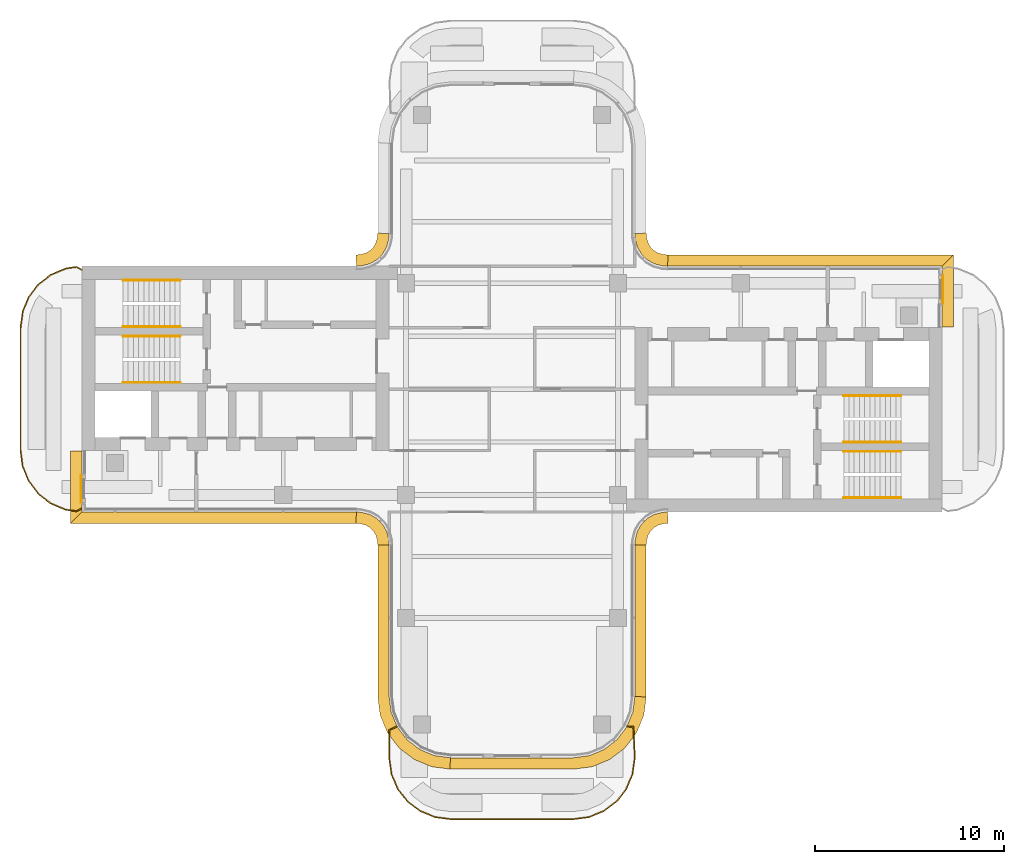
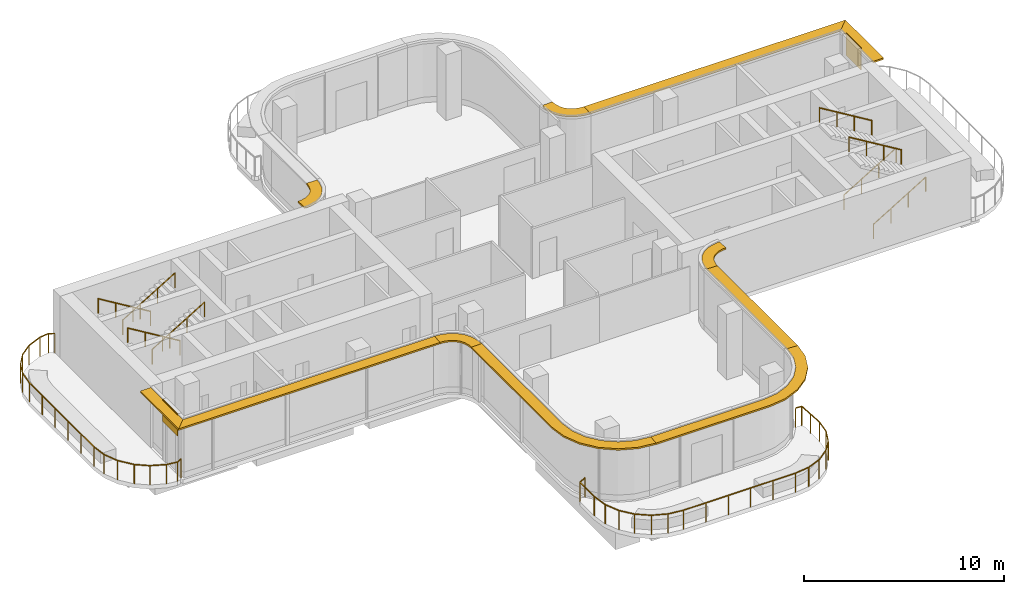
# One storey, part 17 of 18: 11 shading devices, 10 railings, 2 coverings.
"""IFC4 building model written with IfcOpenShell, lengths in metres."""

from ifc_helpers import new_model, si_unit, direction, frame, origin, origin_2d, place, context, subcontext, project, spatial, polyline, rectangle, circle, outline, extrude, source, transform, mapped, material, layer, layer_set, type_object, element, save


model = new_model("IFC4")

# Units and contexts
model_context = context("Model", 3, precision=1e-05, world=origin(), true_north=direction((0.0, 1.0)))
body_context = subcontext(model_context, "Body", "Model", "MODEL_VIEW")
ifc_project = project(units=[si_unit("LENGTHUNIT", "METRE"), si_unit("AREAUNIT", "SQUARE_METRE"), si_unit("VOLUMEUNIT", "CUBIC_METRE"), si_unit("PLANEANGLEUNIT", "RADIAN"), si_unit("MASSUNIT", "GRAM", prefix="KILO")], contexts=[model_context])

# Site, building, storey
site_placement = place(None, origin())
site = spatial("IfcSite", under=ifc_project, at=site_placement, CompositionType="ELEMENT")
building_placement = place(site_placement, origin())
building = spatial("IfcBuilding", under=site, at=building_placement, Name="Trellis Farm Tower", CompositionType="ELEMENT")
storey_placement = place(building_placement, frame((0.0, 0.0, 338.10009765625)))
storey = spatial("IfcBuildingStorey", under=building, at=storey_placement, Name="L76", CompositionType="ELEMENT", Elevation=338.10009765625)

# Railing
ifc_material_1 = material(Name="Stainless steel 316", Category="steel")
railing_type_1 = type_object("IfcRailingType", Name="BALUSTRADE GUARD 1200", PredefinedType="GUARDRAIL", material=ifc_material_1)
railing_1_placement = place(storey_placement, frame((-22.75, -6.30322265625, 0.0)))
element("IfcRailing", 1, at=railing_1_placement, inside=storey, type_object=railing_type_1, Name="GD2 TER-1", PredefinedType="GUARDRAIL", context=body_context, shape_type="SweptSolid", body=[
    extrude(rectangle(XDim=0.050048828125, YDim=0.050048828125, at=origin_2d()), frame((0.0, 0.0, 1.1748046875), z_axis=(-0.87073084028, -0.491759904614, 0.0), x_axis=(0.491759904614, -0.87073084028, 0.0)), (0.0, 0.0, 1.0), 0.32470703125),
    extrude(rectangle(XDim=0.050048828125, YDim=0.050048828125, at=origin_2d()), frame((-0.28271484375, -0.15966796875, 1.1748046875), z_axis=(-0.989459630572, 0.144808975784, 0.0), x_axis=(-0.144808975784, -0.989459630572, 0.0)), (0.0, 0.0, 1.0), 0.59521484375),
    extrude(rectangle(XDim=0.050048828125, YDim=0.050048828125, at=origin_2d()), frame((-0.87158203125, -0.073486328125, 1.1748046875), z_axis=(-0.919918153768, 0.392110431343, 0.0), x_axis=(-0.392110431343, -0.919918153768, 0.0)), (0.0, 0.0, 1.0), 0.847412109375),
    extrude(rectangle(XDim=0.050048828125, YDim=0.050048828125, at=origin_2d()), frame((-1.651123046875, 0.2587890625, 1.1748046875), z_axis=(-0.793400430463, 0.608700054987, 0.0), x_axis=(-0.608700054987, -0.793400430463, 0.0)), (0.0, 0.0, 1.0), 0.782470703125),
    extrude(rectangle(XDim=0.050048828125, YDim=0.050048828125, at=origin_2d()), frame((-2.27197265625, 0.735107421875, 1.1748046875), z_axis=(-0.608701247669, 0.793399515431, 0.0), x_axis=(-0.793399515431, -0.608701247669, 0.0)), (0.0, 0.0, 1.0), 0.912109375),
    extrude(rectangle(XDim=0.050048828125, YDim=0.050048828125, at=origin_2d()), frame((-2.8271484375, 1.458740234375, 1.1748046875), z_axis=(-0.373476532483, 0.927639628134, 0.0), x_axis=(-0.927639628134, -0.373476532483, 0.0)), (0.0, 0.0, 1.0), 0.84716796875),
    extrude(rectangle(XDim=0.050048828125, YDim=0.050048828125, at=origin_2d()), frame((-3.1435546875, 2.24462890625, 1.1748046875), z_axis=(-0.12797133763, 0.991777866634, 0.0), x_axis=(-0.991777866634, -0.12797133763, 0.0)), (0.0, 0.0, 1.0), 0.831787109375),
    extrude(rectangle(XDim=0.050048828125, YDim=0.050048828125, at=origin_2d()), frame((-3.25, 3.069580078125, 1.1748046875), z_axis=(0.0, 1.0, 0.0), x_axis=(-1.0, 0.0, 0.0)), (0.0, 0.0, 1.0), 6.46728515625),
    extrude(rectangle(XDim=0.050048828125, YDim=0.050048828125, at=origin_2d()), frame((-3.25, 9.536865234375, 1.1748046875), z_axis=(0.137531262137, 0.990497426516, 0.0), x_axis=(-0.990497426516, 0.137531262137, 0.0)), (0.0, 0.0, 1.0), 0.896484375),
    extrude(rectangle(XDim=0.050048828125, YDim=0.050048828125, at=origin_2d()), frame((-3.126708984375, 10.4248046875, 1.1748046875), z_axis=(0.38282021408, 0.923822863807, 0.0), x_axis=(-0.923822863807, 0.38282021408, 0.0)), (0.0, 0.0, 1.0), 0.782470703125),
    extrude(rectangle(XDim=0.050048828125, YDim=0.050048828125, at=origin_2d()), frame((-2.8271484375, 11.147705078125, 1.1748046875), z_axis=(0.600691219023, 0.799481118844, 0.0), x_axis=(-0.799481118844, 0.600691219023, 0.0)), (0.0, 0.0, 1.0), 0.847412109375),
    extrude(rectangle(XDim=0.050048828125, YDim=0.050048828125, at=origin_2d()), frame((-2.318115234375, 11.8251953125, 1.1748046875), z_axis=(0.78723737914, 0.616650070044, 0.0), x_axis=(-0.616650070044, 0.78723737914, 0.0)), (0.0, 0.0, 1.0), 0.84716796875),
    extrude(rectangle(XDim=0.050048828125, YDim=0.050048828125, at=origin_2d()), frame((-1.651123046875, 12.34765625, 1.1748046875), z_axis=(0.923827563852, 0.382808871721, 0.0), x_axis=(-0.382808871721, 0.923827563852, 0.0)), (0.0, 0.0, 1.0), 0.912109375),
    extrude(rectangle(XDim=0.050048828125, YDim=0.050048828125, at=origin_2d()), frame((-0.80859375, 12.69677734375, 1.1748046875), z_axis=(0.991419795585, 0.130716444729, 0.0), x_axis=(-0.130716444729, 0.991419795585, 0.0)), (0.0, 0.0, 1.0), 0.530517578125),
    extrude(rectangle(XDim=0.050048828125, YDim=0.050048828125, at=origin_2d()), frame((-0.28271484375, 12.76611328125, 1.1748046875), z_axis=(0.87073084028, -0.491759904614, 0.0), x_axis=(0.491759904614, 0.87073084028, 0.0)), (0.0, 0.0, 1.0), 0.32470703125),
    extrude(rectangle(XDim=0.0400390625, YDim=0.0400390625, at=origin_2d()), origin(), (0.0, 0.0, 1.0), 1.14990234375),
    extrude(rectangle(XDim=0.0400390625, YDim=0.0400390625, at=origin_2d()), frame((-0.28271484375, -0.15966796875, 0.0)), (0.0, 0.0, 1.0), 1.14990234375),
    extrude(rectangle(XDim=0.0400390625, YDim=0.0400390625, at=origin_2d()), frame((-0.87158203125, -0.073486328125, 0.0)), (0.0, 0.0, 1.0), 1.14990234375),
    extrude(rectangle(XDim=0.0400390625, YDim=0.0400390625, at=origin_2d()), frame((-1.651123046875, 0.2587890625, 0.0)), (0.0, 0.0, 1.0), 1.14990234375),
    extrude(rectangle(XDim=0.0400390625, YDim=0.0400390625, at=origin_2d()), frame((-2.27197265625, 0.735107421875, 0.0)), (0.0, 0.0, 1.0), 1.14990234375),
    extrude(rectangle(XDim=0.0400390625, YDim=0.0400390625, at=origin_2d()), frame((-2.8271484375, 1.458740234375, 0.0)), (0.0, 0.0, 1.0), 1.14990234375),
    extrude(rectangle(XDim=0.0400390625, YDim=0.0400390625, at=origin_2d()), frame((-3.1435546875, 2.24462890625, 0.0)), (0.0, 0.0, 1.0), 1.14990234375),
    extrude(rectangle(XDim=0.0400390625, YDim=0.0400390625, at=origin_2d()), frame((-3.25, 3.069580078125, 0.0)), (0.0, 0.0, 1.0), 1.14990234375),
    extrude(rectangle(XDim=0.0400390625, YDim=0.0400390625, at=origin_2d()), frame((-3.25, 4.363037109375, 0.0)), (0.0, 0.0, 1.0), 1.14990234375),
    extrude(rectangle(XDim=0.0400390625, YDim=0.0400390625, at=origin_2d()), frame((-3.25, 5.656494140625, 0.0)), (0.0, 0.0, 1.0), 1.14990234375),
    extrude(rectangle(XDim=0.0400390625, YDim=0.0400390625, at=origin_2d()), frame((-3.25, 6.949951171875, 0.0)), (0.0, 0.0, 1.0), 1.14990234375),
    extrude(rectangle(XDim=0.0400390625, YDim=0.0400390625, at=origin_2d()), frame((-3.25, 8.243408203125, 0.0)), (0.0, 0.0, 1.0), 1.14990234375),
    extrude(rectangle(XDim=0.0400390625, YDim=0.0400390625, at=origin_2d()), frame((-3.25, 9.536865234375, 0.0)), (0.0, 0.0, 1.0), 1.14990234375),
    extrude(rectangle(XDim=0.0400390625, YDim=0.0400390625, at=origin_2d()), frame((-3.126708984375, 10.4248046875, 0.0)), (0.0, 0.0, 1.0), 1.14990234375),
    extrude(rectangle(XDim=0.0400390625, YDim=0.0400390625, at=origin_2d()), frame((-2.8271484375, 11.147705078125, 0.0)), (0.0, 0.0, 1.0), 1.14990234375),
    extrude(rectangle(XDim=0.0400390625, YDim=0.0400390625, at=origin_2d()), frame((-2.318115234375, 11.8251953125, 0.0)), (0.0, 0.0, 1.0), 1.14990234375),
    extrude(rectangle(XDim=0.0400390625, YDim=0.0400390625, at=origin_2d()), frame((-1.651123046875, 12.34765625, 0.0)), (0.0, 0.0, 1.0), 1.14990234375),
    extrude(rectangle(XDim=0.0400390625, YDim=0.0400390625, at=origin_2d()), frame((-0.80859375, 12.69677734375, 0.0)), (0.0, 0.0, 1.0), 1.14990234375),
    extrude(rectangle(XDim=0.0400390625, YDim=0.0400390625, at=origin_2d()), frame((-0.28271484375, 12.76611328125, 0.0)), (0.0, 0.0, 1.0), 1.14990234375),
    extrude(rectangle(XDim=0.0400390625, YDim=0.0400390625, at=origin_2d()), frame((0.0, 12.6064453125, 0.0)), (0.0, 0.0, 1.0), 1.14990234375),
])

# Coverings
ifc_material_2 = material(Name="Sandstone", Category="masonry")
ifc_layer_1 = layer(ifc_material_2, 0.050048828125)
ifc_layer_set_1 = layer_set([ifc_layer_1], Name="STONE CLADDING PANEL")
covering_type = type_object("IfcCoveringType", Name="STONE CLADDING PANEL", PredefinedType="CLADDING", material=ifc_layer_set_1)
placement_1 = place(storey_placement, frame((0.0, 0.0, 2.39990234375)))
element("IfcCovering", 2, at=placement_1, inside=storey, type_object=covering_type, Name="CD1 02", PredefinedType="CLADDING", context=body_context, shape_type="SweptSolid", body=[
    extrude(outline(polyline([(22.800048828125, 4.52001953125), (22.800048828125, 6.02001953125), (22.75, 6.02001953125), (22.75, 4.52001953125), (22.800048828125, 4.52001953125)])), origin(), (0.0, 0.0, 1.0), 1.35009765625),
])
element("IfcCovering", 3, at=placement_1, inside=storey, type_object=covering_type, Name="CD1 04", PredefinedType="CLADDING", context=body_context, shape_type="SweptSolid", body=[
    extrude(outline(polyline([(-22.800048828125, -4.52001953125), (-22.800048828125, -6.02001953125), (-22.75, -6.02001953125), (-22.75, -4.52001953125), (-22.800048828125, -4.52001953125)])), origin(), (0.0, 0.0, 1.0), 1.35009765625),
])

# Railings
ifc_material_3 = material(Name="Stainless steel", Category="steel")
railing_type_2 = type_object("IfcRailingType", Name="STAIR HANDRAIL 900", PredefinedType="HANDRAIL", material=ifc_material_3)
shared_shape_1 = source(origin(), body_context, "Body", "SweptSolid", [
    extrude(circle(Radius=0.02392578125, at=origin_2d()), frame((0.0, 0.0, 0.8759765625), z_axis=(0.855170017971, 0.0, 0.518347605727), x_axis=(0.0, 1.0, 0.0)), (0.0, 0.0, 1.0), 3.537109375),
    extrude(circle(Radius=0.02099609375, at=origin_2d()), origin(), (0.0, 0.0, 1.0), 0.851806640625),
    extrude(circle(Radius=0.02099609375, at=origin_2d()), frame((1.00830078125, 0.0, 0.611083984375)), (0.0, 0.0, 1.0), 0.851806640625),
    extrude(circle(Radius=0.02099609375, at=origin_2d()), frame((2.0166015625, 0.0, 1.222412109375)), (0.0, 0.0, 1.0), 0.851806640625),
    extrude(circle(Radius=0.02099609375, at=origin_2d()), frame((3.02490234375, 0.0, 1.83349609375)), (0.0, 0.0, 1.0), 0.851806640625),
])
for number, where, name in (
    (4, (17.550048828125, -5.75, 0.16650390625), "Stair handrail"),
    (5, (17.550048828125, -2.800048828125, 0.16650390625), "Stair handrail"),
    (6, (-20.574951171875, 3.300048828125, 2.16650390625), "Stair handrail"),
    (7, (-20.574951171875, 0.35009765625, 2.16650390625), "Stair handrail"),
):
    element("IfcRailing", number, at=place(storey_placement, frame(where)), inside=storey, type_object=railing_type_2, Name=name, PredefinedType="HANDRAIL", context=body_context, shape_type="MappedRepresentation", body=[
        mapped(shared_shape_1, transform((0.0, 0.0, 0.0))),
    ])
shared_shape_2 = source(origin(), body_context, "Body", "SweptSolid", [
    extrude(circle(Radius=0.02392578125, at=origin_2d()), frame((0.0, 0.0, 0.8759765625), z_axis=(-0.855170017971, 0.0, 0.518347605727), x_axis=(0.0, -1.0, 0.0)), (0.0, 0.0, 1.0), 3.537109375),
    extrude(circle(Radius=0.02099609375, at=origin_2d()), origin(), (0.0, 0.0, 1.0), 0.851806640625),
    extrude(circle(Radius=0.02099609375, at=origin_2d()), frame((-1.00830078125, 0.0, 0.611083984375)), (0.0, 0.0, 1.0), 0.851806640625),
    extrude(circle(Radius=0.02099609375, at=origin_2d()), frame((-2.0166015625, 0.0, 1.222412109375)), (0.0, 0.0, 1.0), 0.851806640625),
    extrude(circle(Radius=0.02099609375, at=origin_2d()), frame((-3.02490234375, 0.0, 1.83349609375)), (0.0, 0.0, 1.0), 0.851806640625),
])
for number, where, name in (
    (8, (20.574951171875, -3.300048828125, 2.16650390625), "Stair handrail"),
    (9, (20.574951171875, -0.35009765625, 2.16650390625), "Stair handrail"),
    (10, (-17.550048828125, 5.75, 0.16650390625), "Stair handrail"),
    (11, (-17.550048828125, 2.800048828125, 0.16650390625), "Stair handrail"),
):
    element("IfcRailing", number, at=place(storey_placement, frame(where)), inside=storey, type_object=railing_type_2, Name=name, PredefinedType="HANDRAIL", context=body_context, shape_type="MappedRepresentation", body=[
        mapped(shared_shape_2, transform((0.0, 0.0, 0.0))),
    ])

# Shading devices
ifc_material_4 = material(Name="Aluminium extrusion 6063-T6", Category="aluminium")
ifc_layer_2 = layer(ifc_material_4, 0.10009765625)
ifc_layer_set_2 = layer_set([ifc_layer_2], Name="SUNSHADE BLADE 600")
shading_device_type = type_object("IfcShadingDeviceType", Name="SUNSHADE BLADE 600", PredefinedType="USERDEFINED", material=ifc_layer_set_2)
shared_shape_3 = source(origin(), body_context, "Body", "SweptSolid", [
    extrude(outline(polyline([(-7.10009765625, -8.2509765625), (-7.10009765625, -16.289306640625), (-6.973876953125, -17.247802734375), (-6.588623046875, -18.177490234375), (-5.97607421875, -18.97607421875), (-5.177490234375, -19.588623046875), (-4.247802734375, -19.973876953125), (-3.289306640625, -20.10009765625), (-3.25, -19.5), (-4.091064453125, -19.38916015625), (-4.875, -19.064697265625), (-5.548095703125, -18.548095703125), (-6.064697265625, -17.875), (-6.38916015625, -17.091064453125), (-6.5, -16.25), (-6.5, -8.2314453125), (-7.10009765625, -8.2509765625)])), origin(), (0.0, 0.0, 1.0), 0.10009765625),
])
placement_2 = place(storey_placement, frame((0.0, 0.0, 3.58984375)))
element("IfcShadingDevice", 12, at=placement_2, inside=storey, type_object=shading_device_type, Name="SD3 001", ObjectType="SUNSHADE", PredefinedType="USERDEFINED", context=body_context, shape_type="MappedRepresentation", body=[
    mapped(shared_shape_3, transform((0.0, 0.0, 0.0))),
])
shared_shape_4 = source(origin(), body_context, "Body", "SweptSolid", [
    extrude(outline(polyline([(-3.289306640625, -20.10009765625), (3.289306640625, -20.10009765625), (4.247802734375, -19.973876953125), (5.177490234375, -19.588623046875), (5.97607421875, -18.97607421875), (6.588623046875, -18.177490234375), (6.973876953125, -17.247802734375), (7.10009765625, -16.289306640625), (6.5, -16.25), (6.38916015625, -17.091064453125), (6.064697265625, -17.875), (5.548095703125, -18.548095703125), (4.875, -19.064697265625), (4.091064453125, -19.38916015625), (3.25, -19.5), (-3.25, -19.5), (-3.289306640625, -20.10009765625)])), origin(), (0.0, 0.0, 1.0), 0.10009765625),
])
element("IfcShadingDevice", 13, at=placement_2, inside=storey, type_object=shading_device_type, Name="SD3 002", ObjectType="SUNSHADE", PredefinedType="USERDEFINED", context=body_context, shape_type="MappedRepresentation", body=[
    mapped(shared_shape_4, transform((0.0, 0.0, 0.0))),
])
shared_shape_5 = source(origin(), body_context, "Body", "SweptSolid", [
    extrude(outline(polyline([(7.10009765625, -16.289306640625), (7.10009765625, -8.2509765625), (6.5, -8.2314453125), (6.5, -16.25), (7.10009765625, -16.289306640625)])), origin(), (0.0, 0.0, 1.0), 0.10009765625),
])
element("IfcShadingDevice", 14, at=placement_2, inside=storey, type_object=shading_device_type, Name="SD3 003", ObjectType="SUNSHADE", PredefinedType="USERDEFINED", context=body_context, shape_type="MappedRepresentation", body=[
    mapped(shared_shape_5, transform((0.0, 0.0, 0.0))),
])
shared_shape_6 = source(origin(), body_context, "Body", "SweptSolid", [
    extrude(outline(polyline([(7.10009765625, -8.2509765625), (7.111328125, -8.078369140625), (7.1171875, -8.032958984375), (7.19580078125, -7.739990234375), (7.3271484375, -7.5126953125), (7.5126953125, -7.3271484375), (7.739990234375, -7.19580078125), (8.032958984375, -7.1171875), (8.078369140625, -7.111328125), (8.2509765625, -7.10009765625), (8.2314453125, -6.5), (8.01953125, -6.513916015625), (7.91552734375, -6.527587890625), (7.508544921875, -6.63671875), (7.144287109375, -6.846923828125), (6.846923828125, -7.144287109375), (6.63671875, -7.508544921875), (6.527587890625, -7.91552734375), (6.513916015625, -8.01953125), (6.5, -8.2314453125), (7.10009765625, -8.2509765625)])), origin(), (0.0, 0.0, 1.0), 0.10009765625),
])
element("IfcShadingDevice", 15, at=placement_2, inside=storey, type_object=shading_device_type, Name="SD3 004", ObjectType="SUNSHADE", PredefinedType="USERDEFINED", context=body_context, shape_type="MappedRepresentation", body=[
    mapped(shared_shape_6, transform((0.0, 0.0, 0.0))),
])
shared_shape_7 = source(origin(), body_context, "Body", "SweptSolid", [
    extrude(outline(polyline([(23.35009765625, 3.280029296875), (23.35009765625, 7.10009765625), (22.75, 6.5), (22.75, 3.280029296875), (23.35009765625, 3.280029296875)])), origin(), (0.0, 0.0, 1.0), 0.10009765625),
])
element("IfcShadingDevice", 16, at=placement_2, inside=storey, type_object=shading_device_type, Name="SD3 005", ObjectType="SUNSHADE", PredefinedType="USERDEFINED", context=body_context, shape_type="MappedRepresentation", body=[
    mapped(shared_shape_7, transform((0.0, 0.0, 0.0))),
])
shared_shape_8 = source(origin(), body_context, "Body", "SweptSolid", [
    extrude(outline(polyline([(23.35009765625, 7.10009765625), (8.2509765625, 7.10009765625), (8.2314453125, 6.5), (22.75, 6.5), (23.35009765625, 7.10009765625)])), origin(), (0.0, 0.0, 1.0), 0.10009765625),
])
element("IfcShadingDevice", 17, at=placement_2, inside=storey, type_object=shading_device_type, Name="SD3 006", ObjectType="SUNSHADE", PredefinedType="USERDEFINED", context=body_context, shape_type="MappedRepresentation", body=[
    mapped(shared_shape_8, transform((0.0, 0.0, 0.0))),
])
shared_shape_9 = source(origin(), body_context, "Body", "SweptSolid", [
    extrude(outline(polyline([(8.2509765625, 7.10009765625), (8.078369140625, 7.111328125), (8.032958984375, 7.1171875), (7.739990234375, 7.19580078125), (7.5126953125, 7.3271484375), (7.3271484375, 7.5126953125), (7.19580078125, 7.739990234375), (7.1171875, 8.032958984375), (7.111328125, 8.078369140625), (7.10009765625, 8.2509765625), (6.5, 8.2314453125), (6.513916015625, 8.01953125), (6.527587890625, 7.91552734375), (6.63671875, 7.508544921875), (6.846923828125, 7.144287109375), (7.144287109375, 6.846923828125), (7.508544921875, 6.63671875), (7.91552734375, 6.527587890625), (8.01953125, 6.513916015625), (8.2314453125, 6.5), (8.2509765625, 7.10009765625)])), origin(), (0.0, 0.0, 1.0), 0.10009765625),
])
element("IfcShadingDevice", 18, at=placement_2, inside=storey, type_object=shading_device_type, Name="SD3 007", ObjectType="SUNSHADE", PredefinedType="USERDEFINED", context=body_context, shape_type="MappedRepresentation", body=[
    mapped(shared_shape_9, transform((0.0, 0.0, 0.0))),
])
shared_shape_10 = source(origin(), body_context, "Body", "SweptSolid", [
    extrude(outline(polyline([(-7.10009765625, 8.2509765625), (-7.111328125, 8.078369140625), (-7.1171875, 8.032958984375), (-7.19580078125, 7.739990234375), (-7.3271484375, 7.5126953125), (-7.5126953125, 7.3271484375), (-7.739990234375, 7.19580078125), (-8.032958984375, 7.1171875), (-8.078369140625, 7.111328125), (-8.2509765625, 7.10009765625), (-8.2314453125, 6.5), (-8.01953125, 6.513916015625), (-7.91552734375, 6.527587890625), (-7.508544921875, 6.63671875), (-7.144287109375, 6.846923828125), (-6.846923828125, 7.144287109375), (-6.63671875, 7.508544921875), (-6.527587890625, 7.91552734375), (-6.513916015625, 8.01953125), (-6.5, 8.2314453125), (-7.10009765625, 8.2509765625)])), origin(), (0.0, 0.0, 1.0), 0.10009765625),
])
element("IfcShadingDevice", 19, at=placement_2, inside=storey, type_object=shading_device_type, Name="SD3 011", ObjectType="SUNSHADE", PredefinedType="USERDEFINED", context=body_context, shape_type="MappedRepresentation", body=[
    mapped(shared_shape_10, transform((0.0, 0.0, 0.0))),
])
shared_shape_11 = source(origin(), body_context, "Body", "SweptSolid", [
    extrude(outline(polyline([(-23.35009765625, -3.280029296875), (-23.35009765625, -7.10009765625), (-22.75, -6.5), (-22.75, -3.280029296875), (-23.35009765625, -3.280029296875)])), origin(), (0.0, 0.0, 1.0), 0.10009765625),
])
element("IfcShadingDevice", 20, at=placement_2, inside=storey, type_object=shading_device_type, Name="SD3 012", ObjectType="SUNSHADE", PredefinedType="USERDEFINED", context=body_context, shape_type="MappedRepresentation", body=[
    mapped(shared_shape_11, transform((0.0, 0.0, 0.0))),
])
shared_shape_12 = source(origin(), body_context, "Body", "SweptSolid", [
    extrude(outline(polyline([(-23.35009765625, -7.10009765625), (-8.2509765625, -7.10009765625), (-8.2314453125, -6.5), (-22.75, -6.5), (-23.35009765625, -7.10009765625)])), origin(), (0.0, 0.0, 1.0), 0.10009765625),
])
element("IfcShadingDevice", 21, at=placement_2, inside=storey, type_object=shading_device_type, Name="SD3 013", ObjectType="SUNSHADE", PredefinedType="USERDEFINED", context=body_context, shape_type="MappedRepresentation", body=[
    mapped(shared_shape_12, transform((0.0, 0.0, 0.0))),
])
shared_shape_13 = source(origin(), body_context, "Body", "SweptSolid", [
    extrude(outline(polyline([(-8.2509765625, -7.10009765625), (-8.078369140625, -7.111328125), (-8.032958984375, -7.1171875), (-7.739990234375, -7.19580078125), (-7.5126953125, -7.3271484375), (-7.3271484375, -7.5126953125), (-7.19580078125, -7.739990234375), (-7.1171875, -8.032958984375), (-7.111328125, -8.078369140625), (-7.10009765625, -8.2509765625), (-6.5, -8.2314453125), (-6.513916015625, -8.01953125), (-6.527587890625, -7.91552734375), (-6.63671875, -7.508544921875), (-6.846923828125, -7.144287109375), (-7.144287109375, -6.846923828125), (-7.508544921875, -6.63671875), (-7.91552734375, -6.527587890625), (-8.01953125, -6.513916015625), (-8.2314453125, -6.5), (-8.2509765625, -7.10009765625)])), origin(), (0.0, 0.0, 1.0), 0.10009765625),
])
element("IfcShadingDevice", 22, at=placement_2, inside=storey, type_object=shading_device_type, Name="SD3 014", ObjectType="SUNSHADE", PredefinedType="USERDEFINED", context=body_context, shape_type="MappedRepresentation", body=[
    mapped(shared_shape_13, transform((0.0, 0.0, 0.0))),
])

# Railing
shared_shape_14 = source(origin(), body_context, "Body", "SweptSolid", [
    extrude(rectangle(XDim=0.050048828125, YDim=0.050048828125, at=origin_2d()), frame((0.0, 0.0, 1.1748046875), z_axis=(0.998595991784, -0.052972117127, 0.0), x_axis=(0.052972117127, 0.998595991784, 0.0)), (0.0, 0.0, 1.0), 0.341064453125),
    extrude(rectangle(XDim=0.050048828125, YDim=0.050048828125, at=origin_2d()), frame((0.340576171875, -0.01806640625, 1.1748046875), z_axis=(0.049847755092, -0.998756827918, 0.0), x_axis=(0.998756827918, 0.049847755092, 0.0)), (0.0, 0.0, 1.0), 1.6259765625),
    extrude(rectangle(XDim=0.050048828125, YDim=0.050048828125, at=origin_2d()), frame((0.421630859375, -1.64208984375, 1.1748046875), z_axis=(-0.137531262137, -0.990497426516, 0.0), x_axis=(0.990497426516, -0.137531262137, 0.0)), (0.0, 0.0, 1.0), 0.896484375),
    extrude(rectangle(XDim=0.050048828125, YDim=0.050048828125, at=origin_2d()), frame((0.29833984375, -2.530029296875, 1.1748046875), z_axis=(-0.392110431343, -0.919918153768, 0.0), x_axis=(0.919918153768, -0.392110431343, 0.0)), (0.0, 0.0, 1.0), 0.847412109375),
    extrude(rectangle(XDim=0.050048828125, YDim=0.050048828125, at=origin_2d()), frame((-0.033935546875, -3.3095703125, 1.1748046875), z_axis=(-0.608700054987, -0.793400430463, 0.0), x_axis=(0.793400430463, -0.608700054987, 0.0)), (0.0, 0.0, 1.0), 0.782470703125),
    extrude(rectangle(XDim=0.050048828125, YDim=0.050048828125, at=origin_2d()), frame((-0.51025390625, -3.930419921875, 1.1748046875), z_axis=(-0.793399515431, -0.608701247669, 0.0), x_axis=(0.608701247669, -0.793399515431, 0.0)), (0.0, 0.0, 1.0), 0.912109375),
    extrude(rectangle(XDim=0.050048828125, YDim=0.050048828125, at=origin_2d()), frame((-1.23388671875, -4.485595703125, 1.1748046875), z_axis=(-0.927639628134, -0.373476532483, 0.0), x_axis=(0.373476532483, -0.927639628134, 0.0)), (0.0, 0.0, 1.0), 0.84716796875),
    extrude(rectangle(XDim=0.050048828125, YDim=0.050048828125, at=origin_2d()), frame((-2.019775390625, -4.802001953125, 1.1748046875), z_axis=(-0.991777866634, -0.12797133763, 0.0), x_axis=(0.12797133763, -0.991777866634, 0.0)), (0.0, 0.0, 1.0), 0.831787109375),
    extrude(rectangle(XDim=0.050048828125, YDim=0.050048828125, at=origin_2d()), frame((-2.8447265625, -4.908447265625, 1.1748046875), z_axis=(-1.0, 0.0, 0.0), x_axis=(0.0, -1.0, 0.0)), (0.0, 0.0, 1.0), 6.46728515625),
    extrude(rectangle(XDim=0.050048828125, YDim=0.050048828125, at=origin_2d()), frame((-9.31201171875, -4.908447265625, 1.1748046875), z_axis=(-0.991777866634, 0.12797133763, 0.0), x_axis=(-0.12797133763, -0.991777866634, 0.0)), (0.0, 0.0, 1.0), 0.831787109375),
    extrude(rectangle(XDim=0.050048828125, YDim=0.050048828125, at=origin_2d()), frame((-10.136962890625, -4.802001953125, 1.1748046875), z_axis=(-0.927639628134, 0.373476532483, 0.0), x_axis=(-0.373476532483, -0.927639628134, 0.0)), (0.0, 0.0, 1.0), 0.84716796875),
    extrude(rectangle(XDim=0.050048828125, YDim=0.050048828125, at=origin_2d()), frame((-10.9228515625, -4.485595703125, 1.1748046875), z_axis=(-0.799481118844, 0.600691219023, 0.0), x_axis=(-0.600691219023, -0.799481118844, 0.0)), (0.0, 0.0, 1.0), 0.847412109375),
    extrude(rectangle(XDim=0.050048828125, YDim=0.050048828125, at=origin_2d()), frame((-11.600341796875, -3.9765625, 1.1748046875), z_axis=(-0.616650070044, 0.78723737914, 0.0), x_axis=(-0.78723737914, -0.616650070044, 0.0)), (0.0, 0.0, 1.0), 0.84716796875),
    extrude(rectangle(XDim=0.050048828125, YDim=0.050048828125, at=origin_2d()), frame((-12.122802734375, -3.3095703125, 1.1748046875), z_axis=(-0.392110431343, 0.919918153768, 0.0), x_axis=(-0.919918153768, -0.392110431343, 0.0)), (0.0, 0.0, 1.0), 0.847412109375),
    extrude(rectangle(XDim=0.050048828125, YDim=0.050048828125, at=origin_2d()), frame((-12.455078125, -2.530029296875, 1.1748046875), z_axis=(-0.137531262137, 0.990497426516, 0.0), x_axis=(-0.990497426516, -0.137531262137, 0.0)), (0.0, 0.0, 1.0), 0.896484375),
    extrude(rectangle(XDim=0.050048828125, YDim=0.050048828125, at=origin_2d()), frame((-12.578369140625, -1.64208984375, 1.1748046875), z_axis=(0.0, 1.0, 0.0), x_axis=(-1.0, 0.0, 0.0)), (0.0, 0.0, 1.0), 1.439697265625),
    extrude(rectangle(XDim=0.050048828125, YDim=0.050048828125, at=origin_2d()), frame((-12.578369140625, -0.202392578125, 1.1748046875), z_axis=(0.901514911476, 0.432748037993, 0.0), x_axis=(-0.432748037993, 0.901514911476, 0.0)), (0.0, 0.0, 1.0), 0.4677734375),
    extrude(rectangle(XDim=0.0400390625, YDim=0.0400390625, at=origin_2d()), origin(), (0.0, 0.0, 1.0), 1.14990234375),
    extrude(rectangle(XDim=0.0400390625, YDim=0.0400390625, at=origin_2d()), frame((0.340576171875, -0.01806640625, 0.0)), (0.0, 0.0, 1.0), 1.14990234375),
    extrude(rectangle(XDim=0.0400390625, YDim=0.0400390625, at=origin_2d()), frame((0.381103515625, -0.830078125, 0.0)), (0.0, 0.0, 1.0), 1.14990234375),
    extrude(rectangle(XDim=0.0400390625, YDim=0.0400390625, at=origin_2d()), frame((0.421630859375, -1.64208984375, 0.0)), (0.0, 0.0, 1.0), 1.14990234375),
    extrude(rectangle(XDim=0.0400390625, YDim=0.0400390625, at=origin_2d()), frame((0.29833984375, -2.530029296875, 0.0)), (0.0, 0.0, 1.0), 1.14990234375),
    extrude(rectangle(XDim=0.0400390625, YDim=0.0400390625, at=origin_2d()), frame((-0.033935546875, -3.3095703125, 0.0)), (0.0, 0.0, 1.0), 1.14990234375),
    extrude(rectangle(XDim=0.0400390625, YDim=0.0400390625, at=origin_2d()), frame((-0.51025390625, -3.930419921875, 0.0)), (0.0, 0.0, 1.0), 1.14990234375),
    extrude(rectangle(XDim=0.0400390625, YDim=0.0400390625, at=origin_2d()), frame((-1.23388671875, -4.485595703125, 0.0)), (0.0, 0.0, 1.0), 1.14990234375),
    extrude(rectangle(XDim=0.0400390625, YDim=0.0400390625, at=origin_2d()), frame((-2.019775390625, -4.802001953125, 0.0)), (0.0, 0.0, 1.0), 1.14990234375),
    extrude(rectangle(XDim=0.0400390625, YDim=0.0400390625, at=origin_2d()), frame((-2.8447265625, -4.908447265625, 0.0)), (0.0, 0.0, 1.0), 1.14990234375),
    extrude(rectangle(XDim=0.0400390625, YDim=0.0400390625, at=origin_2d()), frame((-4.13818359375, -4.908447265625, 0.0)), (0.0, 0.0, 1.0), 1.14990234375),
    extrude(rectangle(XDim=0.0400390625, YDim=0.0400390625, at=origin_2d()), frame((-5.431640625, -4.908447265625, 0.0)), (0.0, 0.0, 1.0), 1.14990234375),
    extrude(rectangle(XDim=0.0400390625, YDim=0.0400390625, at=origin_2d()), frame((-6.72509765625, -4.908447265625, 0.0)), (0.0, 0.0, 1.0), 1.14990234375),
    extrude(rectangle(XDim=0.0400390625, YDim=0.0400390625, at=origin_2d()), frame((-8.0185546875, -4.908447265625, 0.0)), (0.0, 0.0, 1.0), 1.14990234375),
    extrude(rectangle(XDim=0.0400390625, YDim=0.0400390625, at=origin_2d()), frame((-9.31201171875, -4.908447265625, 0.0)), (0.0, 0.0, 1.0), 1.14990234375),
    extrude(rectangle(XDim=0.0400390625, YDim=0.0400390625, at=origin_2d()), frame((-10.136962890625, -4.802001953125, 0.0)), (0.0, 0.0, 1.0), 1.14990234375),
    extrude(rectangle(XDim=0.0400390625, YDim=0.0400390625, at=origin_2d()), frame((-10.9228515625, -4.485595703125, 0.0)), (0.0, 0.0, 1.0), 1.14990234375),
    extrude(rectangle(XDim=0.0400390625, YDim=0.0400390625, at=origin_2d()), frame((-11.600341796875, -3.9765625, 0.0)), (0.0, 0.0, 1.0), 1.14990234375),
    extrude(rectangle(XDim=0.0400390625, YDim=0.0400390625, at=origin_2d()), frame((-12.122802734375, -3.3095703125, 0.0)), (0.0, 0.0, 1.0), 1.14990234375),
    extrude(rectangle(XDim=0.0400390625, YDim=0.0400390625, at=origin_2d()), frame((-12.455078125, -2.530029296875, 0.0)), (0.0, 0.0, 1.0), 1.14990234375),
    extrude(rectangle(XDim=0.0400390625, YDim=0.0400390625, at=origin_2d()), frame((-12.578369140625, -1.64208984375, 0.0)), (0.0, 0.0, 1.0), 1.14990234375),
    extrude(rectangle(XDim=0.0400390625, YDim=0.0400390625, at=origin_2d()), frame((-12.578369140625, -0.202392578125, 0.0)), (0.0, 0.0, 1.0), 1.14990234375),
    extrude(rectangle(XDim=0.0400390625, YDim=0.0400390625, at=origin_2d()), frame((-12.15673828125, 0.0, 0.0)), (0.0, 0.0, 1.0), 1.14990234375),
])
railing_2_placement = place(storey_placement, frame((6.078369140625, -17.841552734375, 0.0)))
element("IfcRailing", 23, at=railing_2_placement, inside=storey, type_object=railing_type_1, Name="GD2 TER-3", PredefinedType="GUARDRAIL", context=body_context, shape_type="MappedRepresentation", body=[
    mapped(shared_shape_14, transform((0.0, 0.0, 0.0))),
])

save(model, "model.ifc")
